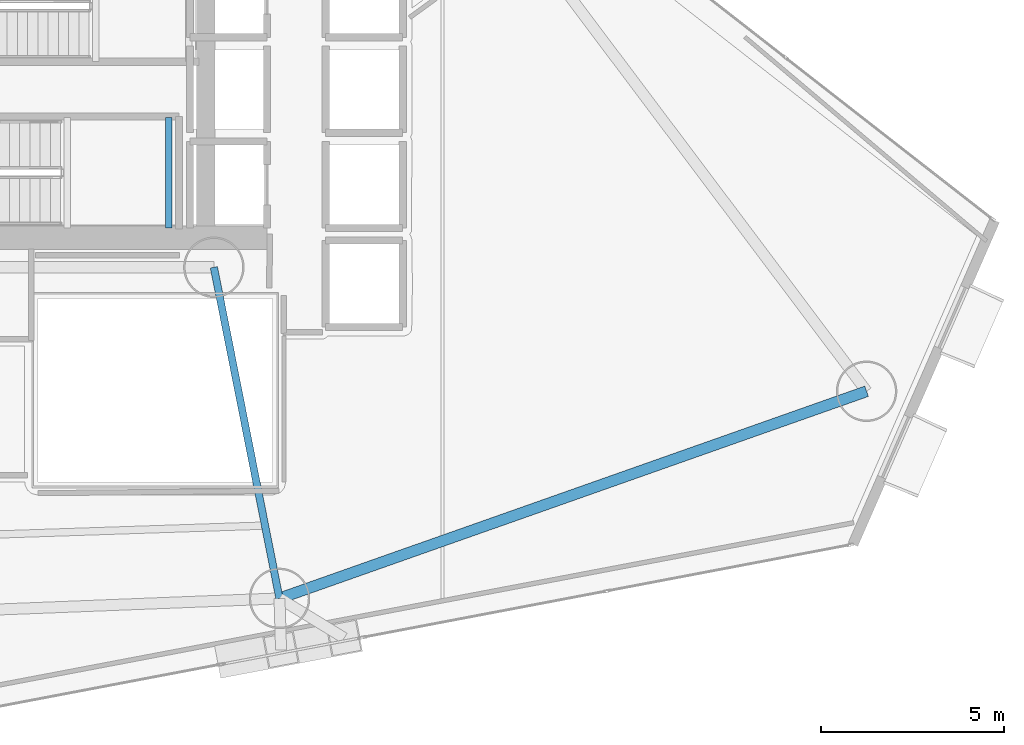
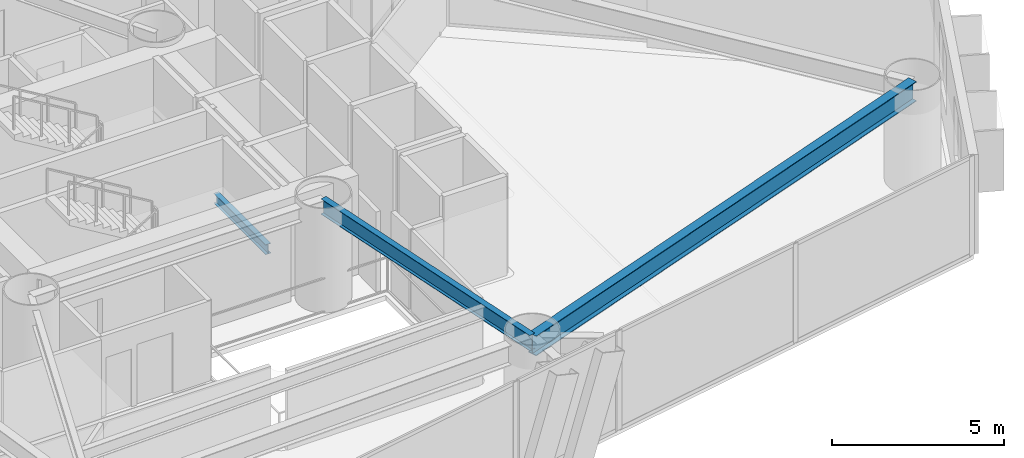
# One storey, part 6 of 23: 3 beams.
"""IFC4 building model written with IfcOpenShell, lengths in metres."""

from ifc_helpers import new_model, si_unit, direction, frame, origin, origin_2d, place, context, subcontext, project, spatial, i_section, extrude, material, material_profile, profile_set, type_object, element, save


model = new_model("IFC4")

# Units and contexts
model_context = context("Model", 3, precision=1e-05, world=origin(), true_north=direction((0.0, 1.0)))
body_context = subcontext(model_context, "Body", "Model", "MODEL_VIEW")
ifc_project = project(units=[si_unit("LENGTHUNIT", "METRE"), si_unit("AREAUNIT", "SQUARE_METRE"), si_unit("VOLUMEUNIT", "CUBIC_METRE"), si_unit("PLANEANGLEUNIT", "RADIAN"), si_unit("MASSUNIT", "GRAM", prefix="KILO")], contexts=[model_context])

# Site, building, storey
site_placement = place(None, origin())
site = spatial("IfcSite", under=ifc_project, at=site_placement, CompositionType="ELEMENT")
building_placement = place(site_placement, origin())
building = spatial("IfcBuilding", under=site, at=building_placement, Name="Qianvela Tower", CompositionType="ELEMENT")
storey_placement = place(building_placement, frame((0.0, 0.0, 85.800048828125)))
storey = spatial("IfcBuildingStorey", under=building, at=storey_placement, Name="L21", CompositionType="ELEMENT", Elevation=85.800048828125)

# Beams
ifc_material_1 = material(Name="Steel Q355B", Category="steel")
ifc_material_profile_1 = material_profile(ifc_material_1, i_section(OverallWidth=0.175048828125, OverallDepth=0.35009765625, WebThickness=0.007080078125, FlangeThickness=0.010986328125, at=origin_2d()), Name="HN350x175x7x11")
ifc_profile_set_1 = profile_set([ifc_material_profile_1], Name="Steel Q355B")
beam_type_1 = type_object("IfcBeamType", Name="BM-HN350-JOIST", PredefinedType="JOIST", material=ifc_profile_set_1)
beam_1_placement = place(storey_placement, frame((37.169921875, 24.919921875, 1.474853515625), z_axis=(0.0, 1.0, 0.0), x_axis=(-1.0, 0.0, 0.0)))
element("IfcBeam", 1, at=beam_1_placement, inside=storey, type_object=beam_type_1, Name="L21 Stair ST-2 Landing Support Beam 1.2", PredefinedType="JOIST", context=body_context, shape_type="SweptSolid", body=[
    extrude(i_section(OverallWidth=0.175048828125, OverallDepth=0.35009765625, WebThickness=0.007080078125, FlangeThickness=0.010986328125, at=origin_2d()), origin(), (0.0, 0.0, 1.0), 3.02001953125),
])
ifc_material_2 = material(Name="Steel Q355B", Category="steel")
ifc_material_profile_2 = material_profile(ifc_material_2, i_section(OverallWidth=0.199951171875, OverallDepth=0.550048828125, WebThickness=0.010009765625, FlangeThickness=0.01611328125, at=origin_2d()), Name="HN550x200x10x16")
ifc_profile_set_2 = profile_set([ifc_material_profile_2], Name="Steel Q355B")
beam_type_2 = type_object("IfcBeamType", Name="BM-HN550-GIRD", PredefinedType="BEAM", material=ifc_profile_set_2)
beam_2_placement = place(storey_placement, frame((38.39990234375, 23.85009765625, 3.242919921875), z_axis=(0.194325825688, -0.980937038485, 0.0), x_axis=(0.980937038485, 0.194325825688, 0.0)))
element("IfcBeam", 2, at=beam_2_placement, inside=storey, type_object=beam_type_2, Name="L21 Radial Primary Floor Girder 6", PredefinedType="BEAM", context=body_context, shape_type="SweptSolid", body=[
    extrude(i_section(OverallWidth=0.199951171875, OverallDepth=0.550048828125, WebThickness=0.010009765625, FlangeThickness=0.01611328125, at=origin_2d()), origin(), (0.0, 0.0, 1.0), 9.20654296875),
])
ifc_material_3 = material(Name="Steel Q355B", Category="steel")
ifc_material_profile_3 = material_profile(ifc_material_3, i_section(OverallWidth=0.300048828125, OverallDepth=0.699951171875, WebThickness=0.012939453125, FlangeThickness=0.02392578125, at=origin_2d()), Name="HN700x300x13x24")
ifc_profile_set_3 = profile_set([ifc_material_profile_3], Name="Steel Q355B")
beam_type_3 = type_object("IfcBeamType", Name="BM-HN700-SPAND", PredefinedType="SPANDREL", material=ifc_profile_set_3)
beam_3_placement = place(storey_placement, frame((40.18896484375, 14.819091796875, 3.16796875), z_axis=(0.943021125648, 0.332732860687, 0.0), x_axis=(-0.332732860687, 0.943021125648, 0.0)))
element("IfcBeam", 3, at=beam_3_placement, inside=storey, type_object=beam_type_3, Name="L21 Perimeter Ring Spandrel Girder 6", PredefinedType="SPANDREL", context=body_context, shape_type="SweptSolid", body=[
    extrude(i_section(OverallWidth=0.300048828125, OverallDepth=0.699951171875, WebThickness=0.012939453125, FlangeThickness=0.02392578125, at=origin_2d()), origin(), (0.0, 0.0, 1.0), 16.977294921875),
])

save(model, "model.ifc")
